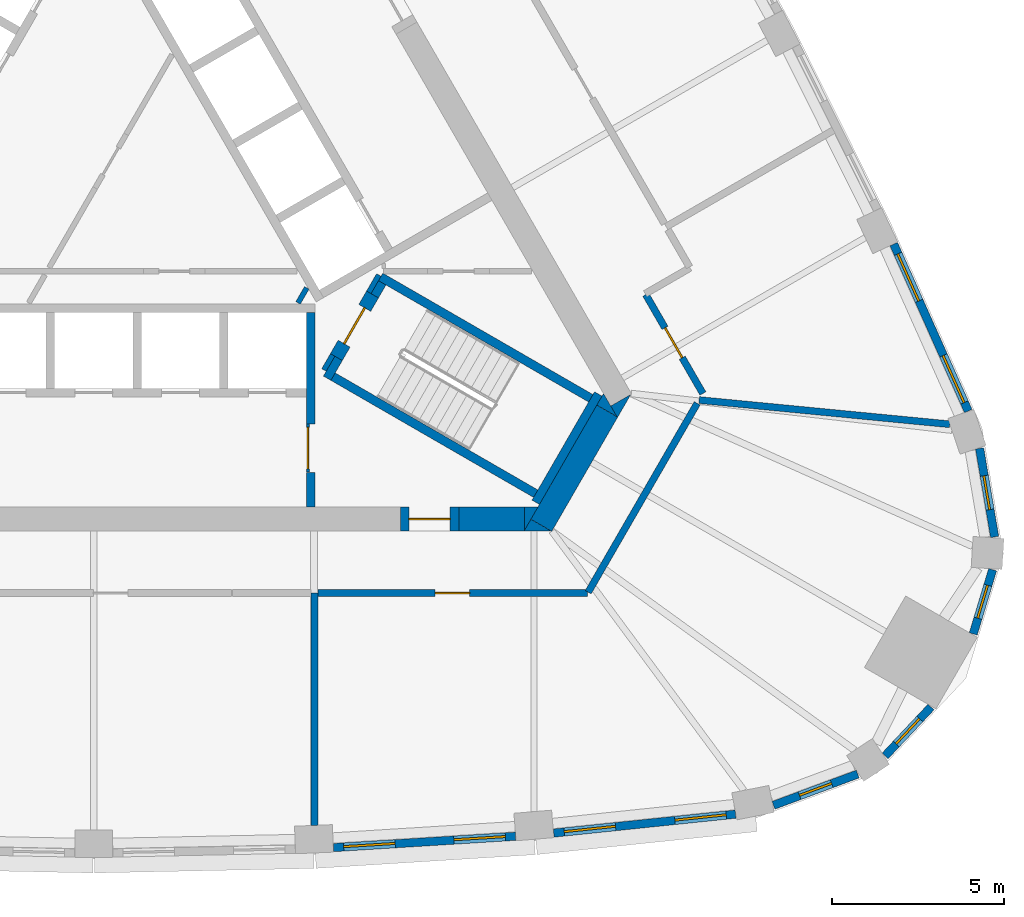
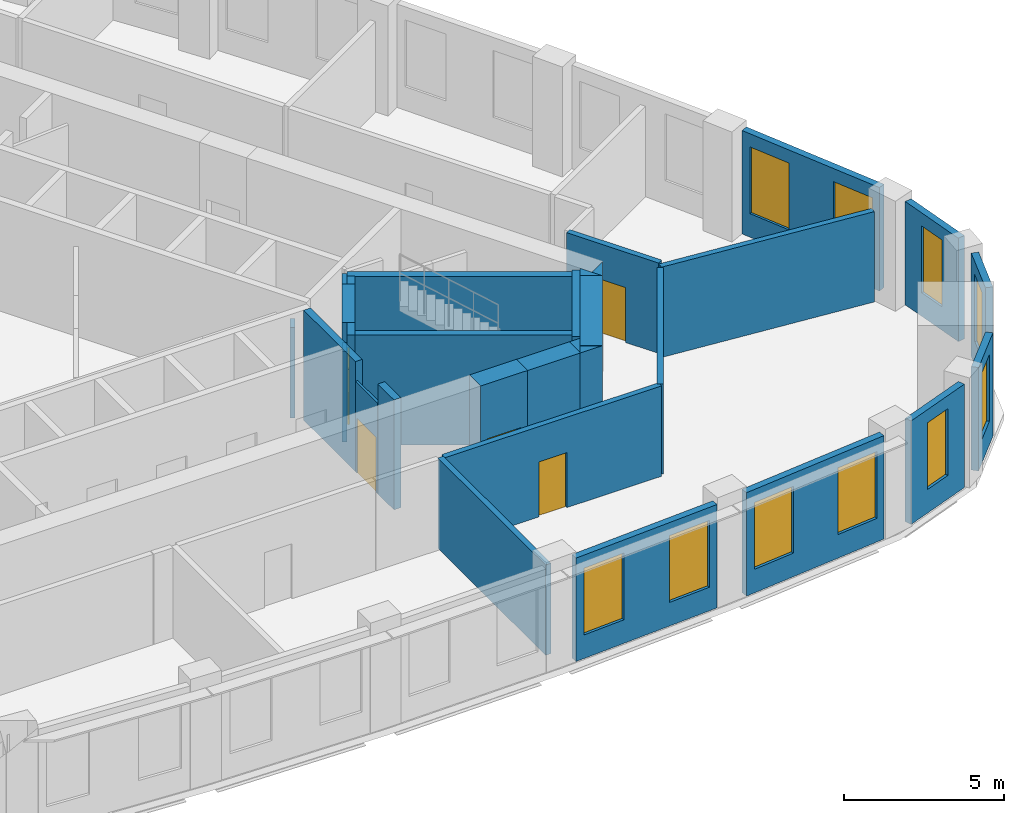
# One storey, part 6 of 10: 31 walls, 10 windows, 5 doors, 15 openings.
"""IFC4 building model written with IfcOpenShell, lengths in metres."""

import ifcopenshell
import ifcopenshell.guid

model = None  # the IFC model being written
_history = None  # IfcOwnerHistory: only IFC2X3 demands one
_inside = {}  # id of a spatial element -> (the spatial element, [elements in it])
_under = {}  # id of a project, library or spatial element -> (it, [spatial elements below it])
_declared = {}  # id of a project -> (the project, [libraries it declares])
_typed = {}  # id of a type object -> (the type object, [elements of that type])
_made_of = {}  # id of a material, layer set ... -> (it, [elements and type objects made of it])


def new_model(schema):
    """Start an empty IFC model of exactly this schema.

    Asked for "IFC4X3", IfcOpenShell would pick the latest addendum, in which some entities
    have other attributes; the version numbers below select the first issue.
    IFC2X3 requires an IfcOwnerHistory on every rooted entity: one is made here for all.
    """
    global model, _history
    if schema == "IFC4X3":
        model = ifcopenshell.file(schema_version=(4, 3, 0, 0))
    else:
        model = ifcopenshell.file(schema=schema)
    _inside.clear()
    _under.clear()
    _declared.clear()
    _typed.clear()
    _made_of.clear()
    _history = None
    if model.schema == "IFC2X3":
        org = make("IfcOrganization", Name="unknown")
        user = make(
            "IfcPersonAndOrganization",
            ThePerson=make("IfcPerson", FamilyName="unknown"),
            TheOrganization=org,
        )
        app = make(
            "IfcApplication",
            ApplicationDeveloper=org,
            Version="unknown",
            ApplicationFullName="unknown",
            ApplicationIdentifier="unknown",
        )
        _history = make(
            "IfcOwnerHistory",
            OwningUser=user,
            OwningApplication=app,
            ChangeAction="ADDED",
            CreationDate=0,
        )
    return model


def make(cls, **values):
    """One entity of the class cls with the attributes given. An attribute that is None is left unset."""
    return model.create_entity(
        cls, **{name: value for name, value in values.items() if value is not None}
    )


def rooted(cls, **values):
    """An entity with a GlobalId (a new one), such as an element, a storey or a relation."""
    return make(cls, GlobalId=ifcopenshell.guid.new(), OwnerHistory=_history, **values)


def si_unit(unit_type, name, prefix=None):
    """IfcSIUnit, for example si_unit("LENGTHUNIT", "METRE", prefix="MILLI")."""
    return make("IfcSIUnit", UnitType=unit_type, Prefix=prefix, Name=name)


def assignment(units):
    """IfcUnitAssignment: the units of a project."""
    return None if units is None else make("IfcUnitAssignment", Units=units)


def point(xyz):
    """IfcCartesianPoint."""
    return None if xyz is None else make("IfcCartesianPoint", Coordinates=xyz)


def direction(xyz):
    """IfcDirection."""
    return None if xyz is None else make("IfcDirection", DirectionRatios=xyz)


def frame(location, z_axis=None, x_axis=None):
    """IfcAxis2Placement3D, a coordinate frame: its origin and axes. An axis left out is left unset."""
    return make(
        "IfcAxis2Placement3D",
        Location=point(location),
        Axis=direction(z_axis),
        RefDirection=direction(x_axis),
    )


def frame_2d(location, x_axis=None):
    """IfcAxis2Placement2D, a coordinate frame in the plane: its origin and x axis."""
    return make(
        "IfcAxis2Placement2D", Location=point(location), RefDirection=direction(x_axis)
    )


def origin():
    """The frame at (0, 0, 0) with its axes left unset."""
    return frame((0.0, 0.0, 0.0))


def place(relative_to, where):
    """IfcLocalPlacement: puts the frame where relative to a parent placement (None: the world)."""
    return make(
        "IfcLocalPlacement", PlacementRelTo=relative_to, RelativePlacement=where
    )


def context(
    kind, dimensions, precision=None, world=None, true_north=None, identifier=None
):
    """IfcGeometricRepresentationContext, for example the 3D "Model" context."""
    return make(
        "IfcGeometricRepresentationContext",
        ContextIdentifier=identifier,
        ContextType=kind,
        CoordinateSpaceDimension=dimensions,
        Precision=precision,
        WorldCoordinateSystem=world,
        TrueNorth=true_north,
    )


def subcontext(parent, identifier, kind, view, scale=None):
    """IfcGeometricRepresentationSubContext, for example "Body" below "Model"."""
    return make(
        "IfcGeometricRepresentationSubContext",
        ContextIdentifier=identifier,
        ContextType=kind,
        ParentContext=parent,
        TargetScale=scale,
        TargetView=view,
    )


def project(units=None, contexts=None):
    """IfcProject with its units and contexts."""
    return rooted(
        "IfcProject",
        Name="project",
        RepresentationContexts=contexts,
        UnitsInContext=assignment(units),
    )


def spatial(cls, under=None, at=None, **own):
    """A site, building, storey or space (cls), placed at a placement, below another one or the project."""
    s = rooted(cls, ObjectPlacement=at, **own)
    if under is not None:
        _under.setdefault(under.id(), (under, []))[1].append(s)
    return s


def polyline(points):
    """IfcPolyline through the points."""
    return make("IfcPolyline", Points=[point(p) for p in points])


def profile(cls, at=None, kind="AREA", **sizes):
    """A parametric profile (cls). Its sizes go by their IFC names, for example OverallWidth=200.0."""
    return make(cls, ProfileType=kind, Position=at, **sizes)


def rectangle(**sizes):
    """IfcRectangleProfileDef."""
    return profile("IfcRectangleProfileDef", **sizes)


def outline(outer, holes=None, kind="AREA"):
    """IfcArbitraryClosedProfileDef: a profile drawn as a closed curve; with holes, ...WithVoids."""
    if holes is None:
        return make("IfcArbitraryClosedProfileDef", ProfileType=kind, OuterCurve=outer)
    return make(
        "IfcArbitraryProfileDefWithVoids",
        ProfileType=kind,
        OuterCurve=outer,
        InnerCurves=holes,
    )


def extrude(swept, where, along, depth):
    """IfcExtrudedAreaSolid: the profile swept, set in the frame where, extruded along a direction by depth."""
    return make(
        "IfcExtrudedAreaSolid",
        SweptArea=swept,
        Position=where,
        ExtrudedDirection=direction(along),
        Depth=depth,
    )


def shape(context_of_items, identifier, shape_type, items):
    """IfcShapeRepresentation: the items that make up one representation, for example the "Body"."""
    return make(
        "IfcShapeRepresentation",
        ContextOfItems=context_of_items,
        RepresentationIdentifier=identifier,
        RepresentationType=shape_type,
        Items=items,
    )


def material(Name=None, Category=None):
    """IfcMaterial."""
    return make("IfcMaterial", Name=Name, Category=Category)


def layer(
    of_material, thickness, ventilated=None, Name=None, Category=None, Priority=None
):
    """IfcMaterialLayer: one layer of a wall or slab, of a material (None: an air gap)."""
    return make(
        "IfcMaterialLayer",
        Material=of_material,
        LayerThickness=thickness,
        IsVentilated=ventilated,
        Name=Name,
        Category=Category,
        Priority=Priority,
    )


def layer_set(layers, Name=None):
    """IfcMaterialLayerSet."""
    return make("IfcMaterialLayerSet", MaterialLayers=layers, LayerSetName=Name)


def made_of(thing, what):
    """Note that an element or type object is made of a material, layer set ...; save() writes the relation."""
    if what is not None:
        _made_of.setdefault(what.id(), (what, []))[1].append(thing)
    return thing


def type_object(cls, material=None, **own):
    """A type object (cls), such as IfcWallType, which elements share."""
    return made_of(rooted(cls, **own), material)


def element(
    cls,
    number,
    at=None,
    inside=None,
    cuts=None,
    type_object=None,
    material=None,
    context=None,
    identifier="Body",
    shape_type=None,
    held_by="IfcProductDefinitionShape",
    body=None,
    shapes=None,
    **own,
):
    """One element of the class cls, such as IfcWall. Its Tag is "e" and its number.

    at: its placement. inside: the storey or other place that contains it. cuts: it is an
    opening in that element (IfcRelVoidsElement). A single representation is given by context,
    identifier, shape_type and body (its items); several are given by shapes. held_by: the class
    of the entity that holds the representations. save() writes the other relations.
    """
    e = rooted(cls, Tag="e%d" % number, ObjectPlacement=at, **own)
    if body is not None:
        shapes = [shape(context, identifier, shape_type, body)]
    if shapes is not None:
        e.Representation = make(held_by, Representations=shapes)
    if inside is not None:
        _inside.setdefault(inside.id(), (inside, []))[1].append(e)
    if cuts is not None:
        rooted(
            "IfcRelVoidsElement", RelatingBuildingElement=cuts, RelatedOpeningElement=e
        )
    if type_object is not None:
        _typed.setdefault(type_object.id(), (type_object, []))[1].append(e)
    return made_of(e, material)


def fill(opening, filler):
    """IfcRelFillsElement: the door or window that sits in an opening."""
    return rooted(
        "IfcRelFillsElement",
        RelatingOpeningElement=opening,
        RelatedBuildingElement=filler,
    )


def aggregate(whole, parts):
    """IfcRelAggregates: a whole, such as a stair, and the parts it consists of."""
    return rooted("IfcRelAggregates", RelatingObject=whole, RelatedObjects=parts)


def save(model, path):
    """Write the relations noted so far, then the file.

    IfcRelAggregates (storeys below a building ...), IfcRelContainedInSpatialStructure (elements
    in a storey), IfcRelDefinesByType, IfcRelAssociatesMaterial and IfcRelDeclares: one each for
    every whole, place, type object, material and project.
    """
    for whole, parts in _under.values():
        aggregate(whole, parts)
    for where, things in _inside.values():
        rooted(
            "IfcRelContainedInSpatialStructure",
            RelatedElements=things,
            RelatingStructure=where,
        )
    for kind, things in _typed.values():
        rooted("IfcRelDefinesByType", RelatedObjects=things, RelatingType=kind)
    for what, things in _made_of.values():
        rooted("IfcRelAssociatesMaterial", RelatedObjects=things, RelatingMaterial=what)
    for by, libraries in _declared.values():
        rooted("IfcRelDeclares", RelatingContext=by, RelatedDefinitions=libraries)
    model.write(path)


model = new_model("IFC4")

# Units and contexts
model_context = context("Model", 3, precision=1e-05, world=origin(), true_north=direction((0.0, 1.0)))
body_context = subcontext(model_context, "Body", "Model", "MODEL_VIEW")
ifc_project = project(units=[si_unit("LENGTHUNIT", "METRE"), si_unit("AREAUNIT", "SQUARE_METRE"), si_unit("VOLUMEUNIT", "CUBIC_METRE"), si_unit("PLANEANGLEUNIT", "RADIAN"), si_unit("MASSUNIT", "GRAM", prefix="KILO")], contexts=[model_context])

# Site, building, storey
site_placement = place(None, origin())
site = spatial("IfcSite", under=ifc_project, at=site_placement, CompositionType="ELEMENT")
building_placement = place(site_placement, origin())
building = spatial("IfcBuilding", under=site, at=building_placement, Name="Mestral Congress Tower", CompositionType="ELEMENT")
storey_placement = place(building_placement, frame((0.0, 0.0, 214.199951171875)))
storey = spatial("IfcBuildingStorey", under=building, at=storey_placement, Name="L50", CompositionType="ELEMENT", Elevation=214.199951171875)

# Walls
ifc_material_1 = material(Name="Fire-rated board partition")
ifc_layer_1 = layer(ifc_material_1, 0.14990234375)
ifc_layer_set_1 = layer_set([ifc_layer_1], Name="Fire-rated board partition")
wall_type_1 = type_object("IfcWallType", Name="Core partition 150", PredefinedType="PARTITIONING", material=ifc_layer_set_1)
wall_1_placement = place(storey_placement, frame((6.68798828125, -5.667236328125, 0.0), z_axis=(0.0, 0.0, 1.0), x_axis=(0.499834152157, 0.86612113491, 0.0)))
element("IfcWall", 1, at=wall_1_placement, inside=storey, type_object=wall_type_1, Name="L50 core wall", PredefinedType="PARTITIONING", context=body_context, shape_type="SweptSolid", body=[
    extrude(rectangle(XDim=0.504638671875, YDim=0.14990234375, at=frame_2d((0.25244140625, 0.0))), origin(), (0.0, 0.0, 1.0), 3.449951171875),
])
wall_2_placement = place(storey_placement, frame((5.935791015625, -3.718017578125, 0.0), z_axis=(0.0, 0.0, 1.0), x_axis=(0.499890179513, 0.866088799389, 0.0)))
element("IfcWall", 2, at=wall_2_placement, inside=storey, type_object=wall_type_1, Name="L50 core wall", PredefinedType="PARTITIONING", context=body_context, shape_type="SweptSolid", body=[
    extrude(rectangle(XDim=0.50390625, YDim=0.14990234375, at=frame_2d((0.251953125, 0.0))), origin(), (0.0, 0.0, 1.0), 3.449951171875),
])

# Wall, opening, door
ifc_layer_2 = layer(ifc_material_1, 0.090087890625)
ifc_layer_set_2 = layer_set([ifc_layer_2], Name="Fire-rated board partition")
wall_type_2 = type_object("IfcWallType", Name="Core partition 150 door-wall 90", PredefinedType="PARTITIONING", material=ifc_layer_set_2)
wall_3_placement = place(storey_placement, frame((6.219970703125, -7.23681640625, 0.0), z_axis=(0.0, 0.0, 1.0), x_axis=(0.0, -1.0, 0.0)))
wall_3 = element("IfcWall", 3, at=wall_3_placement, inside=storey, type_object=wall_type_2, Name="L50 door wall", PredefinedType="PARTITIONING", context=body_context, shape_type="SweptSolid", body=[
    extrude(rectangle(XDim=1.400146484375, YDim=0.090087890625, at=frame_2d((0.7001953125, 0.0))), origin(), (0.0, 0.0, 1.0), 3.449951171875),
])
opening_1_placement = place(wall_3_placement, frame((0.10009765625, 0.0, 0.0)))
opening_1 = element("IfcOpeningElement", 4, at=opening_1_placement, cuts=wall_3, Name="Opening LB0-WL1", PredefinedType="OPENING", context=body_context, shape_type="SweptSolid", body=[
    extrude(rectangle(XDim=1.199951171875, YDim=2.10009765625, at=frame_2d((0.60009765625, 1.050048828125))), frame((0.0, 0.054931640625, 0.0), z_axis=(0.0, -1.0, 0.0), x_axis=(1.0, 0.0, 0.0)), (0.0, 0.0, 1.0), 0.110107421875),
])
ifc_material_2 = material(Name="Fire-rated steel door set", Category="steel")
door_type_1 = type_object("IfcDoorType", Name="Core door LB 1200x2100", OperationType="SINGLE_SWING_LEFT", PredefinedType="DOOR", material=ifc_material_2)
door_1_placement = place(opening_1_placement, origin())
door_1 = element("IfcDoor", 5, at=door_1_placement, inside=storey, type_object=door_type_1, Name="Door LB0-WL1", OperationType="SINGLE_SWING_LEFT", OverallHeight=2.10009765625, OverallWidth=1.199951171875, PredefinedType="DOOR", context=body_context, shape_type="SweptSolid", body=[
    extrude(rectangle(XDim=1.199951171875, YDim=2.10009765625, at=frame_2d((0.60009765625, 1.050048828125))), frame((0.0, 0.02490234375, 0.0), z_axis=(0.0, -1.0, 0.0), x_axis=(1.0, 0.0, 0.0)), (0.0, 0.0, 1.0), 0.050048828125),
])
fill(opening_1, door_1)

# Walls
ifc_material_3 = material(Name="Concrete C60/75", Category="concrete")
ifc_layer_3 = layer(ifc_material_3, 0.699951171875)
ifc_layer_set_3 = layer_set([ifc_layer_3], Name="Concrete C60/75")
wall_type_3 = type_object("IfcWallType", Name="Core wall RC 700", PredefinedType="SOLIDWALL", material=ifc_layer_set_3)
placement = place(storey_placement, origin())
element("IfcWall", 6, at=placement, inside=storey, type_object=wall_type_3, Name="L50 core wall", PredefinedType="SOLIDWALL", context=body_context, shape_type="SweptSolid", body=[
    extrude(outline(polyline([(15.213134765625, -7.050048828125), (15.019287109375, -6.714111328125), (15.60107421875, -6.3779296875), (15.213134765625, -7.050048828125)])), origin(), (0.0, 0.0, 1.0), 4.199951171875),
])
wall_5_placement = place(storey_placement, frame((13.002685546875, -10.1787109375, 0.0), z_axis=(0.0, 0.0, 1.0), x_axis=(0.499972675833, 0.866041178825, 0.0)))
element("IfcWall", 7, at=wall_5_placement, inside=storey, type_object=wall_type_3, Name="L50 core wall", PredefinedType="SOLIDWALL", context=body_context, shape_type="SweptSolid", body=[
    extrude(rectangle(XDim=3.828857421875, YDim=0.699951171875, at=frame_2d((1.91455078125, 0.0))), origin(), (0.0, 0.0, 1.0), 4.199951171875),
])
element("IfcWall", 8, at=placement, inside=storey, type_object=wall_type_3, Name="L50 core wall", PredefinedType="SOLIDWALL", context=body_context, shape_type="SweptSolid", body=[
    extrude(outline(polyline([(12.698486328125, -10.00537109375), (13.295654296875, -10.35009765625), (12.49951171875, -10.35009765625), (12.698486328125, -10.00537109375)])), origin(), (0.0, 0.0, 1.0), 4.199951171875),
])
element("IfcWall", 9, at=placement, inside=storey, type_object=wall_type_3, Name="L50 core wall", PredefinedType="SOLIDWALL", context=body_context, shape_type="SweptSolid", body=[
    extrude(outline(polyline([(14.80908203125, -6.35009765625), (15.197265625, -7.022216796875), (14.614990234375, -6.68603515625), (14.80908203125, -6.35009765625)])), origin(), (0.0, 0.0, 1.0), 4.199951171875),
])
wall_8_placement = place(storey_placement, frame((10.6044921875, -10.0, 0.0), z_axis=(0.0, 0.0, 1.0), x_axis=(1.0, 0.0, 0.0)))
element("IfcWall", 10, at=wall_8_placement, inside=storey, type_object=wall_type_3, Name="L50 core wall", PredefinedType="SOLIDWALL", context=body_context, shape_type="SweptSolid", body=[
    extrude(rectangle(XDim=1.909423828125, YDim=0.699951171875, at=frame_2d((0.95458984375, 0.0))), origin(), (0.0, 0.0, 1.0), 4.199951171875),
])
element("IfcWall", 11, at=placement, inside=storey, type_object=wall_type_3, Name="L50 core wall", PredefinedType="SOLIDWALL", context=body_context, shape_type="SweptSolid", body=[
    extrude(outline(polyline([(12.90380859375, -9.64990234375), (12.515869140625, -10.322021484375), (12.515869140625, -9.64990234375), (12.90380859375, -9.64990234375)])), origin(), (0.0, 0.0, 1.0), 4.199951171875),
])

# Wall, opening, door
wall_10_placement = place(storey_placement, frame((10.6044921875, -10.0, 0.0), z_axis=(0.0, 0.0, 1.0), x_axis=(-1.0, 0.0, 0.0)))
wall_10 = element("IfcWall", 12, at=wall_10_placement, inside=storey, type_object=wall_type_3, Name="L50 door wall", PredefinedType="SOLIDWALL", context=body_context, shape_type="SweptSolid", body=[
    extrude(rectangle(XDim=1.699951171875, YDim=0.699951171875, at=frame_2d((0.85009765625, 0.0))), origin(), (0.0, 0.0, 1.0), 4.199951171875),
])
opening_2_placement = place(wall_10_placement, frame((0.25, 0.0, 0.0)))
opening_2 = element("IfcOpeningElement", 13, at=opening_2_placement, cuts=wall_10, Name="Opening XD1", PredefinedType="OPENING", context=body_context, shape_type="SweptSolid", body=[
    extrude(rectangle(XDim=1.199951171875, YDim=2.10009765625, at=frame_2d((0.60009765625, 1.050048828125))), frame((0.0, 0.35986328125, 0.0), z_axis=(0.0, -1.0, 0.0), x_axis=(1.0, 0.0, 0.0)), (0.0, 0.0, 1.0), 0.719970703125),
])
door_type_2 = type_object("IfcDoorType", Name="Core door XD 1200x2100", OperationType="SINGLE_SWING_LEFT", PredefinedType="DOOR", material=ifc_material_2)
door_2_placement = place(opening_2_placement, origin())
door_2 = element("IfcDoor", 14, at=door_2_placement, inside=storey, type_object=door_type_2, Name="Door XD1", OperationType="SINGLE_SWING_LEFT", OverallHeight=2.10009765625, OverallWidth=1.199951171875, PredefinedType="DOOR", context=body_context, shape_type="SweptSolid", body=[
    extrude(rectangle(XDim=1.199951171875, YDim=2.10009765625, at=frame_2d((0.60009765625, 1.050048828125))), frame((0.0, 0.02490234375, 0.0), z_axis=(0.0, -1.0, 0.0), x_axis=(1.0, 0.0, 0.0)), (0.0, 0.0, 1.0), 0.050048828125),
])
fill(opening_2, door_2)

# Wall, openings, windows
ifc_material_4 = material(Name="Precast concrete C40/50 with limestone facing", Category="masonry")
ifc_layer_4 = layer(ifc_material_4, 0.239990234375)
ifc_layer_set_4 = layer_set([ifc_layer_4], Name="Precast concrete C40/50 with limestone facing")
wall_type_4 = type_object("IfcWallType", Name="Facade stone wall 240", PredefinedType="SOLIDWALL", material=ifc_layer_set_4)
wall_11_placement = place(storey_placement, frame((6.965087890625, -19.54296875, 0.0), z_axis=(0.0, 0.0, 1.0), x_axis=(0.9980633213, 0.062206162685, 0.0)))
wall_11 = element("IfcWall", 15, at=wall_11_placement, inside=storey, type_object=wall_type_4, Name="Facade wall F0-04", PredefinedType="SOLIDWALL", context=body_context, shape_type="SweptSolid", body=[
    extrude(rectangle(XDim=5.29833984375, YDim=0.239990234375, at=frame_2d((2.649169921875, 0.0))), origin(), (0.0, 0.0, 1.0), 3.949951171875),
])
opening_3_placement = place(wall_11_placement, frame((0.294677734375, 0.0, 0.89990234375)))
opening_3 = element("IfcOpeningElement", 16, at=opening_3_placement, cuts=wall_11, Name="Opening W4", PredefinedType="OPENING", context=body_context, shape_type="SweptSolid", body=[
    extrude(rectangle(XDim=1.5, YDim=2.550048828125, at=frame_2d((0.75, 1.27490234375))), frame((0.0, 0.1298828125, 0.0), z_axis=(0.0, -1.0, 0.0), x_axis=(1.0, 0.0, 0.0)), (0.0, 0.0, 1.0), 0.260009765625),
])
opening_4_placement = place(wall_11_placement, frame((3.503662109375, 0.0, 0.89990234375)))
opening_4 = element("IfcOpeningElement", 17, at=opening_4_placement, cuts=wall_11, Name="Opening W4", PredefinedType="OPENING", context=body_context, shape_type="SweptSolid", body=[
    extrude(rectangle(XDim=1.5, YDim=2.550048828125, at=frame_2d((0.75, 1.27490234375))), frame((0.0, 0.1298828125, 0.0), z_axis=(0.0, -1.0, 0.0), x_axis=(1.0, 0.0, 0.0)), (0.0, 0.0, 1.0), 0.260009765625),
])
ifc_material_5 = material(Name="Clear low-emissivity double glazing", Category="glass")
window_type_1 = type_object("IfcWindowType", Name="Facade punched window 1500 x 2550 sill 900", PartitioningType="SINGLE_PANEL", PredefinedType="WINDOW", material=ifc_material_5)
window_1_placement = place(opening_3_placement, origin())
window_1 = element("IfcWindow", 18, at=window_1_placement, inside=storey, type_object=window_type_1, Name="Window F0-04a", OverallHeight=2.550048828125, OverallWidth=1.5, PartitioningType="SINGLE_PANEL", PredefinedType="WINDOW", context=body_context, shape_type="SweptSolid", body=[
    extrude(rectangle(XDim=1.5, YDim=2.550048828125, at=frame_2d((0.75, 1.27490234375))), frame((0.0, 0.0400390625, 0.0), z_axis=(0.0, -1.0, 0.0), x_axis=(1.0, 0.0, 0.0)), (0.0, 0.0, 1.0), 0.06005859375),
])
fill(opening_3, window_1)
window_2_placement = place(opening_4_placement, origin())
window_2 = element("IfcWindow", 19, at=window_2_placement, inside=storey, type_object=window_type_1, Name="Window F0-04b", OverallHeight=2.550048828125, OverallWidth=1.5, PartitioningType="SINGLE_PANEL", PredefinedType="WINDOW", context=body_context, shape_type="SweptSolid", body=[
    extrude(rectangle(XDim=1.5, YDim=2.550048828125, at=frame_2d((0.75, 1.27490234375))), frame((0.0, 0.0400390625, 0.0), z_axis=(0.0, -1.0, 0.0), x_axis=(1.0, 0.0, 0.0)), (0.0, 0.0, 1.0), 0.06005859375),
])
fill(opening_4, window_2)

wall_12_placement = place(storey_placement, frame((13.362060546875, -19.12109375, 0.0), z_axis=(0.0, 0.0, 1.0), x_axis=(0.994621961215, 0.103571976272, 0.0)))
wall_12 = element("IfcWall", 20, at=wall_12_placement, inside=storey, type_object=wall_type_4, Name="Facade wall F0-05", PredefinedType="SOLIDWALL", context=body_context, shape_type="SweptSolid", body=[
    extrude(rectangle(XDim=5.310791015625, YDim=0.239990234375, at=frame_2d((2.6552734375, 0.0))), origin(), (0.0, 0.0, 1.0), 3.949951171875),
])
opening_5_placement = place(wall_12_placement, frame((0.306396484375, 0.0, 0.89990234375)))
opening_5 = element("IfcOpeningElement", 21, at=opening_5_placement, cuts=wall_12, Name="Opening W4", PredefinedType="OPENING", context=body_context, shape_type="SweptSolid", body=[
    extrude(rectangle(XDim=1.5, YDim=2.550048828125, at=frame_2d((0.75, 1.27490234375))), frame((0.0, 0.1298828125, 0.0), z_axis=(0.0, -1.0, 0.0), x_axis=(1.0, 0.0, 0.0)), (0.0, 0.0, 1.0), 0.260009765625),
])
opening_6_placement = place(wall_12_placement, frame((3.539306640625, 0.0, 0.89990234375)))
opening_6 = element("IfcOpeningElement", 22, at=opening_6_placement, cuts=wall_12, Name="Opening W4", PredefinedType="OPENING", context=body_context, shape_type="SweptSolid", body=[
    extrude(rectangle(XDim=1.5, YDim=2.550048828125, at=frame_2d((0.75, 1.27490234375))), frame((0.0, 0.1298828125, 0.0), z_axis=(0.0, -1.0, 0.0), x_axis=(1.0, 0.0, 0.0)), (0.0, 0.0, 1.0), 0.260009765625),
])
window_3_placement = place(opening_5_placement, origin())
window_3 = element("IfcWindow", 23, at=window_3_placement, inside=storey, type_object=window_type_1, Name="Window F0-05a", OverallHeight=2.550048828125, OverallWidth=1.5, PartitioningType="SINGLE_PANEL", PredefinedType="WINDOW", context=body_context, shape_type="SweptSolid", body=[
    extrude(rectangle(XDim=1.5, YDim=2.550048828125, at=frame_2d((0.75, 1.27490234375))), frame((0.0, 0.0400390625, 0.0), z_axis=(0.0, -1.0, 0.0), x_axis=(1.0, 0.0, 0.0)), (0.0, 0.0, 1.0), 0.06005859375),
])
fill(opening_5, window_3)
window_4_placement = place(opening_6_placement, origin())
window_4 = element("IfcWindow", 24, at=window_4_placement, inside=storey, type_object=window_type_1, Name="Window F0-05b", OverallHeight=2.550048828125, OverallWidth=1.5, PartitioningType="SINGLE_PANEL", PredefinedType="WINDOW", context=body_context, shape_type="SweptSolid", body=[
    extrude(rectangle(XDim=1.5, YDim=2.550048828125, at=frame_2d((0.75, 1.27490234375))), frame((0.0, 0.0400390625, 0.0), z_axis=(0.0, -1.0, 0.0), x_axis=(1.0, 0.0, 0.0)), (0.0, 0.0, 1.0), 0.06005859375),
])
fill(opening_6, window_4)

# Wall, opening, window
wall_13_placement = place(storey_placement, frame((19.747802734375, -18.31396484375, 0.0), z_axis=(0.0, 0.0, 1.0), x_axis=(0.937569171184, 0.347798863203, 0.0)))
wall_13 = element("IfcWall", 25, at=wall_13_placement, inside=storey, type_object=wall_type_4, Name="Facade wall K0-0", PredefinedType="SOLIDWALL", context=body_context, shape_type="SweptSolid", body=[
    extrude(rectangle(XDim=2.609130859375, YDim=0.239990234375, at=frame_2d((1.3046875, 0.0))), origin(), (0.0, 0.0, 1.0), 3.949951171875),
])
opening_7_placement = place(wall_13_placement, frame((0.8046875, 0.0, 0.89990234375)))
opening_7 = element("IfcOpeningElement", 26, at=opening_7_placement, cuts=wall_13, Name="Opening W5", PredefinedType="OPENING", context=body_context, shape_type="SweptSolid", body=[
    extrude(rectangle(XDim=1.0, YDim=2.550048828125, at=frame_2d((0.5, 1.27490234375))), frame((0.0, 0.1298828125, 0.0), z_axis=(0.0, -1.0, 0.0), x_axis=(1.0, 0.0, 0.0)), (0.0, 0.0, 1.0), 0.260009765625),
])
window_type_2 = type_object("IfcWindowType", Name="Facade punched window 1000 x 2550 sill 900", PartitioningType="SINGLE_PANEL", PredefinedType="WINDOW", material=ifc_material_5)
window_5_placement = place(opening_7_placement, origin())
window_5 = element("IfcWindow", 27, at=window_5_placement, inside=storey, type_object=window_type_2, Name="Window K0-0", OverallHeight=2.550048828125, OverallWidth=1.0, PartitioningType="SINGLE_PANEL", PredefinedType="WINDOW", context=body_context, shape_type="SweptSolid", body=[
    extrude(rectangle(XDim=1.0, YDim=2.550048828125, at=frame_2d((0.5, 1.27490234375))), frame((0.0, 0.0400390625, 0.0), z_axis=(0.0, -1.0, 0.0), x_axis=(1.0, 0.0, 0.0)), (0.0, 0.0, 1.0), 0.06005859375),
])
fill(opening_7, window_5)

wall_14_placement = place(storey_placement, frame((22.989013671875, -16.87890625, 0.0), z_axis=(0.0, 0.0, 1.0), x_axis=(0.684770274166, 0.728758994194, 0.0)))
wall_14 = element("IfcWall", 28, at=wall_14_placement, inside=storey, type_object=wall_type_4, Name="Facade wall K0-1", PredefinedType="SOLIDWALL", context=body_context, shape_type="SweptSolid", body=[
    extrude(rectangle(XDim=1.947998046875, YDim=0.239990234375, at=frame_2d((0.97412109375, 0.0))), origin(), (0.0, 0.0, 1.0), 3.949951171875),
])
opening_8_placement = place(wall_14_placement, frame((0.47412109375, 0.0, 0.89990234375)))
opening_8 = element("IfcOpeningElement", 29, at=opening_8_placement, cuts=wall_14, Name="Opening W5", PredefinedType="OPENING", context=body_context, shape_type="SweptSolid", body=[
    extrude(rectangle(XDim=1.0, YDim=2.550048828125, at=frame_2d((0.5, 1.27490234375))), frame((0.0, 0.1298828125, 0.0), z_axis=(0.0, -1.0, 0.0), x_axis=(1.0, 0.0, 0.0)), (0.0, 0.0, 1.0), 0.260009765625),
])
window_6_placement = place(opening_8_placement, origin())
window_6 = element("IfcWindow", 30, at=window_6_placement, inside=storey, type_object=window_type_2, Name="Window K0-1", OverallHeight=2.550048828125, OverallWidth=1.0, PartitioningType="SINGLE_PANEL", PredefinedType="WINDOW", context=body_context, shape_type="SweptSolid", body=[
    extrude(rectangle(XDim=1.0, YDim=2.550048828125, at=frame_2d((0.5, 1.27490234375))), frame((0.0, 0.0400390625, 0.0), z_axis=(0.0, -1.0, 0.0), x_axis=(1.0, 0.0, 0.0)), (0.0, 0.0, 1.0), 0.06005859375),
])
fill(opening_8, window_6)

wall_15_placement = place(storey_placement, frame((25.5498046875, -13.334716796875, 0.0), z_axis=(0.0, 0.0, 1.0), x_axis=(0.288727209095, 0.957411405159, 0.0)))
wall_15 = element("IfcWall", 31, at=wall_15_placement, inside=storey, type_object=wall_type_4, Name="Facade wall K0-2", PredefinedType="SOLIDWALL", context=body_context, shape_type="SweptSolid", body=[
    extrude(rectangle(XDim=1.9482421875, YDim=0.239990234375, at=frame_2d((0.97412109375, 0.0))), origin(), (0.0, 0.0, 1.0), 3.949951171875),
])
opening_9_placement = place(wall_15_placement, frame((0.47412109375, 0.0, 0.89990234375)))
opening_9 = element("IfcOpeningElement", 32, at=opening_9_placement, cuts=wall_15, Name="Opening W5", PredefinedType="OPENING", context=body_context, shape_type="SweptSolid", body=[
    extrude(rectangle(XDim=1.0, YDim=2.550048828125, at=frame_2d((0.5, 1.27490234375))), frame((0.0, 0.1298828125, 0.0), z_axis=(0.0, -1.0, 0.0), x_axis=(1.0, 0.0, 0.0)), (0.0, 0.0, 1.0), 0.260009765625),
])
window_7_placement = place(opening_9_placement, origin())
window_7 = element("IfcWindow", 33, at=window_7_placement, inside=storey, type_object=window_type_2, Name="Window K0-2", OverallHeight=2.550048828125, OverallWidth=1.0, PartitioningType="SINGLE_PANEL", PredefinedType="WINDOW", context=body_context, shape_type="SweptSolid", body=[
    extrude(rectangle(XDim=1.0, YDim=2.550048828125, at=frame_2d((0.5, 1.27490234375))), frame((0.0, 0.0400390625, 0.0), z_axis=(0.0, -1.0, 0.0), x_axis=(1.0, 0.0, 0.0)), (0.0, 0.0, 1.0), 0.06005859375),
])
fill(opening_9, window_7)

wall_16_placement = place(storey_placement, frame((26.171630859375, -10.517333984375, 0.0), z_axis=(0.0, 0.0, 1.0), x_axis=(-0.167660055546, 0.985844869021, 0.0)))
wall_16 = element("IfcWall", 34, at=wall_16_placement, inside=storey, type_object=wall_type_4, Name="Facade wall K0-3", PredefinedType="SOLIDWALL", context=body_context, shape_type="SweptSolid", body=[
    extrude(rectangle(XDim=2.609375, YDim=0.239990234375, at=frame_2d((1.3046875, 0.0))), origin(), (0.0, 0.0, 1.0), 3.949951171875),
])
opening_10_placement = place(wall_16_placement, frame((0.8046875, 0.0, 0.89990234375)))
opening_10 = element("IfcOpeningElement", 35, at=opening_10_placement, cuts=wall_16, Name="Opening W5", PredefinedType="OPENING", context=body_context, shape_type="SweptSolid", body=[
    extrude(rectangle(XDim=1.0, YDim=2.550048828125, at=frame_2d((0.5, 1.27490234375))), frame((0.0, 0.1298828125, 0.0), z_axis=(0.0, -1.0, 0.0), x_axis=(1.0, 0.0, 0.0)), (0.0, 0.0, 1.0), 0.260009765625),
])
window_8_placement = place(opening_10_placement, origin())
window_8 = element("IfcWindow", 36, at=window_8_placement, inside=storey, type_object=window_type_2, Name="Window K0-3", OverallHeight=2.550048828125, OverallWidth=1.0, PartitioningType="SINGLE_PANEL", PredefinedType="WINDOW", context=body_context, shape_type="SweptSolid", body=[
    extrude(rectangle(XDim=1.0, YDim=2.550048828125, at=frame_2d((0.5, 1.27490234375))), frame((0.0, 0.0400390625, 0.0), z_axis=(0.0, -1.0, 0.0), x_axis=(1.0, 0.0, 0.0)), (0.0, 0.0, 1.0), 0.06005859375),
])
fill(opening_10, window_8)

# Wall, openings, windows
wall_17_placement = place(storey_placement, frame((25.405029296875, -6.86083984375, 0.0), z_axis=(0.0, 0.0, 1.0), x_axis=(-0.407579651789, 0.913169659728, 0.0)))
wall_17 = element("IfcWall", 37, at=wall_17_placement, inside=storey, type_object=wall_type_4, Name="Facade wall F1-00", PredefinedType="SOLIDWALL", context=body_context, shape_type="SweptSolid", body=[
    extrude(rectangle(XDim=5.310791015625, YDim=0.239990234375, at=frame_2d((2.6552734375, 0.0))), origin(), (0.0, 0.0, 1.0), 3.949951171875),
])
opening_11_placement = place(wall_17_placement, frame((0.271484375, 0.0, 0.89990234375)))
opening_11 = element("IfcOpeningElement", 38, at=opening_11_placement, cuts=wall_17, Name="Opening W4", PredefinedType="OPENING", context=body_context, shape_type="SweptSolid", body=[
    extrude(rectangle(XDim=1.5, YDim=2.550048828125, at=frame_2d((0.75, 1.27490234375))), frame((0.0, 0.1298828125, 0.0), z_axis=(0.0, -1.0, 0.0), x_axis=(1.0, 0.0, 0.0)), (0.0, 0.0, 1.0), 0.260009765625),
])
opening_12_placement = place(wall_17_placement, frame((3.50439453125, 0.0, 0.89990234375)))
opening_12 = element("IfcOpeningElement", 39, at=opening_12_placement, cuts=wall_17, Name="Opening W4", PredefinedType="OPENING", context=body_context, shape_type="SweptSolid", body=[
    extrude(rectangle(XDim=1.5, YDim=2.550048828125, at=frame_2d((0.75, 1.27490234375))), frame((0.0, 0.1298828125, 0.0), z_axis=(0.0, -1.0, 0.0), x_axis=(1.0, 0.0, 0.0)), (0.0, 0.0, 1.0), 0.260009765625),
])
window_9_placement = place(opening_11_placement, origin())
window_9 = element("IfcWindow", 40, at=window_9_placement, inside=storey, type_object=window_type_1, Name="Window F1-00a", OverallHeight=2.550048828125, OverallWidth=1.5, PartitioningType="SINGLE_PANEL", PredefinedType="WINDOW", context=body_context, shape_type="SweptSolid", body=[
    extrude(rectangle(XDim=1.5, YDim=2.550048828125, at=frame_2d((0.75, 1.27490234375))), frame((0.0, 0.0400390625, 0.0), z_axis=(0.0, -1.0, 0.0), x_axis=(1.0, 0.0, 0.0)), (0.0, 0.0, 1.0), 0.06005859375),
])
fill(opening_11, window_9)
window_10_placement = place(opening_12_placement, origin())
window_10 = element("IfcWindow", 41, at=window_10_placement, inside=storey, type_object=window_type_1, Name="Window F1-00b", OverallHeight=2.550048828125, OverallWidth=1.5, PartitioningType="SINGLE_PANEL", PredefinedType="WINDOW", context=body_context, shape_type="SweptSolid", body=[
    extrude(rectangle(XDim=1.5, YDim=2.550048828125, at=frame_2d((0.75, 1.27490234375))), frame((0.0, 0.0400390625, 0.0), z_axis=(0.0, -1.0, 0.0), x_axis=(1.0, 0.0, 0.0)), (0.0, 0.0, 1.0), 0.06005859375),
])
fill(opening_12, window_10)

# Walls
ifc_material_6 = material(Name="Dense masonry wall, plastered", Category="masonry")
ifc_layer_5 = layer(ifc_material_6, 0.199951171875)
ifc_layer_set_5 = layer_set([ifc_layer_5], Name="Dense masonry wall, plastered")
wall_type_5 = type_object("IfcWallType", Name="Office tenancy wall 200", PredefinedType="PARTITIONING", material=ifc_layer_set_5)
wall_18_placement = place(storey_placement, frame((6.416748046875, -12.14990234375, 0.0), z_axis=(0.0, 0.0, 1.0), x_axis=(0.0, -1.0, 0.0)))
element("IfcWall", 42, at=wall_18_placement, inside=storey, type_object=wall_type_5, Name="Tenancy wall", PredefinedType="PARTITIONING", context=body_context, shape_type="SweptSolid", body=[
    extrude(rectangle(XDim=6.746826171875, YDim=0.199951171875, at=frame_2d((3.37353515625, 0.0))), origin(), (0.0, 0.0, 1.0), 3.449951171875),
])
wall_19_placement = place(storey_placement, frame((17.5859375, -6.540283203125, 0.0), z_axis=(0.0, 0.0, 1.0), x_axis=(0.995357542522, -0.096246363795, 0.0)))
element("IfcWall", 43, at=wall_19_placement, inside=storey, type_object=wall_type_5, Name="Tenancy wall", PredefinedType="PARTITIONING", context=body_context, shape_type="SweptSolid", body=[
    extrude(rectangle(XDim=7.318115234375, YDim=0.199951171875, at=frame_2d((3.6591796875, 0.0))), origin(), (0.0, 0.0, 1.0), 3.449951171875),
])

# Wall, opening, door
wall_20_placement = place(storey_placement, frame((6.516845703125, -12.14990234375, 0.0), z_axis=(0.0, 0.0, 1.0), x_axis=(1.0, 0.0, 0.0)))
wall_20 = element("IfcWall", 44, at=wall_20_placement, inside=storey, type_object=wall_type_5, Name="Tenancy wall", PredefinedType="PARTITIONING", context=body_context, shape_type="SweptSolid", body=[
    extrude(rectangle(XDim=7.830322265625, YDim=0.199951171875, at=frame_2d((3.9150390625, 0.0))), origin(), (0.0, 0.0, 1.0), 3.449951171875),
])
opening_13_placement = place(wall_20_placement, frame((3.39990234375, 0.0, 0.0)))
opening_13 = element("IfcOpeningElement", 45, at=opening_13_placement, cuts=wall_20, Name="Opening O07-002", PredefinedType="OPENING", context=body_context, shape_type="SweptSolid", body=[
    extrude(rectangle(XDim=1.0, YDim=2.10009765625, at=frame_2d((0.5, 1.050048828125))), frame((0.0, 0.10986328125, 0.0), z_axis=(0.0, -1.0, 0.0), x_axis=(1.0, 0.0, 0.0)), (0.0, 0.0, 1.0), 0.219970703125),
])
ifc_material_7 = material(Name="Fire-rated timber door set", Category="wood")
door_type_3 = type_object("IfcDoorType", Name="Office tenancy entrance door 1000x2100", OperationType="SINGLE_SWING_LEFT", PredefinedType="DOOR", material=ifc_material_7)
door_3_placement = place(opening_13_placement, origin())
door_3 = element("IfcDoor", 46, at=door_3_placement, inside=storey, type_object=door_type_3, Name="Door O07-002", OperationType="SINGLE_SWING_LEFT", OverallHeight=2.10009765625, OverallWidth=1.0, PredefinedType="DOOR", context=body_context, shape_type="SweptSolid", body=[
    extrude(rectangle(XDim=1.0, YDim=2.10009765625, at=frame_2d((0.5, 1.050048828125))), frame((0.0, 0.02490234375, 0.0), z_axis=(0.0, -1.0, 0.0), x_axis=(1.0, 0.0, 0.0)), (0.0, 0.0, 1.0), 0.050048828125),
])
fill(opening_13, door_3)

# Wall
wall_21_placement = place(storey_placement, frame((14.362060546875, -12.1240234375, 0.0), z_axis=(0.0, 0.0, 1.0), x_axis=(0.500017005442, 0.866015585465, 0.0)))
element("IfcWall", 47, at=wall_21_placement, inside=storey, type_object=wall_type_5, Name="Tenancy wall", PredefinedType="PARTITIONING", context=body_context, shape_type="SweptSolid", body=[
    extrude(rectangle(XDim=6.337646484375, YDim=0.199951171875, at=frame_2d((3.1689453125, 0.0))), origin(), (0.0, 0.0, 1.0), 3.449951171875),
])

# Wall, opening, door
wall_22_placement = place(storey_placement, frame((17.69580078125, -6.35009765625, 0.0), z_axis=(0.0, 0.0, 1.0), x_axis=(-0.500017629075, 0.866015225394, 0.0)))
wall_22 = element("IfcWall", 48, at=wall_22_placement, inside=storey, type_object=wall_type_5, Name="Tenancy wall", PredefinedType="PARTITIONING", context=body_context, shape_type="SweptSolid", body=[
    extrude(rectangle(XDim=3.3173828125, YDim=0.199951171875, at=frame_2d((1.65869140625, 0.0))), origin(), (0.0, 0.0, 1.0), 3.449951171875),
])
opening_14_placement = place(wall_22_placement, frame((1.199951171875, 0.0, 0.0)))
opening_14 = element("IfcOpeningElement", 49, at=opening_14_placement, cuts=wall_22, Name="Opening O07-003", PredefinedType="OPENING", context=body_context, shape_type="SweptSolid", body=[
    extrude(rectangle(XDim=1.0, YDim=2.10009765625, at=frame_2d((0.5, 1.050048828125))), frame((0.0, 0.10986328125, 0.0), z_axis=(0.0, -1.0, 0.0), x_axis=(1.0, 0.0, 0.0)), (0.0, 0.0, 1.0), 0.219970703125),
])
door_4_placement = place(opening_14_placement, origin())
door_4 = element("IfcDoor", 50, at=door_4_placement, inside=storey, type_object=door_type_3, Name="Door O07-003", OperationType="SINGLE_SWING_RIGHT", OverallHeight=2.10009765625, OverallWidth=1.0, PredefinedType="DOOR", context=body_context, shape_type="SweptSolid", body=[
    extrude(rectangle(XDim=1.0, YDim=2.10009765625, at=frame_2d((0.5, 1.050048828125))), frame((0.0, 0.02490234375, 0.0), z_axis=(0.0, -1.0, 0.0), x_axis=(1.0, 0.0, 0.0)), (0.0, 0.0, 1.0), 0.050048828125),
])
fill(opening_14, door_4)

# Walls
ifc_layer_6 = layer(ifc_material_3, 0.25)
ifc_layer_set_6 = layer_set([ifc_layer_6], Name="Concrete C60/75")
wall_type_6 = type_object("IfcWallType", Name="Shaft wall RC 250", PredefinedType="SOLIDWALL", material=ifc_layer_set_6)
wall_23_placement = place(storey_placement, frame((6.300048828125, -7.239990234375, 0.0), z_axis=(0.0, 0.0, 1.0), x_axis=(0.0, 1.0, 0.0)))
element("IfcWall", 51, at=wall_23_placement, inside=storey, type_object=wall_type_6, Name="L50 core wall", PredefinedType="SOLIDWALL", context=body_context, shape_type="SweptSolid", body=[
    extrude(rectangle(XDim=3.239990234375, YDim=0.25, at=frame_2d((1.6201171875, 0.0))), origin(), (0.0, 0.0, 1.0), 4.199951171875),
])
wall_24_placement = place(storey_placement, frame((6.300048828125, -9.64990234375, 0.0), z_axis=(0.0, 0.0, 1.0), x_axis=(0.0, 1.0, 0.0)))
element("IfcWall", 52, at=wall_24_placement, inside=storey, type_object=wall_type_6, Name="L50 core wall", PredefinedType="SOLIDWALL", context=body_context, shape_type="SweptSolid", body=[
    extrude(rectangle(XDim=1.0078125, YDim=0.25, at=frame_2d((0.50390625, 0.0))), origin(), (0.0, 0.0, 1.0), 4.199951171875),
])
ifc_layer_7 = layer(ifc_material_3, 0.14990234375)
ifc_layer_set_7 = layer_set([ifc_layer_7], Name="Concrete C60/75")
wall_type_7 = type_object("IfcWallType", Name="Shaft wall RC 250 door-wall 150", PredefinedType="SOLIDWALL", material=ifc_layer_set_7)
wall_25_placement = place(storey_placement, frame((8.281494140625, -2.906982421875, 0.0), z_axis=(0.0, 0.0, 1.0), x_axis=(-0.500193841991, -0.86591346013, 0.0)))
element("IfcWall", 53, at=wall_25_placement, inside=storey, type_object=wall_type_7, Name="L50 core wall", PredefinedType="PARTITIONING", context=body_context, shape_type="SweptSolid", body=[
    extrude(rectangle(XDim=0.582763671875, YDim=0.14990234375, at=frame_2d((0.29150390625, 0.0))), origin(), (0.0, 0.0, 1.0), 4.199951171875),
])
ifc_layer_8 = layer(ifc_material_3, 0.25)
ifc_layer_set_8 = layer_set([ifc_layer_8], Name="Concrete C60/75")
wall_type_8 = type_object("IfcWallType", Name="Stair wall RC 250", PredefinedType="SOLIDWALL", material=ifc_layer_set_8)
wall_26_placement = place(storey_placement, frame((12.839599609375, -9.510986328125, 0.0), z_axis=(0.0, 0.0, 1.0), x_axis=(0.500048121057, 0.865997619297, 0.0)))
element("IfcWall", 54, at=wall_26_placement, inside=storey, type_object=wall_type_8, Name="L50 core wall", PredefinedType="SOLIDWALL", context=body_context, shape_type="SweptSolid", body=[
    extrude(rectangle(XDim=3.634033203125, YDim=0.25, at=frame_2d((1.81689453125, 0.0))), origin(), (0.0, 0.0, 1.0), 4.199951171875),
])
wall_27_placement = place(storey_placement, frame((12.83984375, -9.2607421875, 0.0), z_axis=(0.0, 0.0, 1.0), x_axis=(-0.866013990052, 0.500019768644, 0.0)))
element("IfcWall", 55, at=wall_27_placement, inside=storey, type_object=wall_type_8, Name="L50 core wall", PredefinedType="SOLIDWALL", context=body_context, shape_type="SweptSolid", body=[
    extrude(rectangle(XDim=6.800048828125, YDim=0.25, at=frame_2d((3.39990234375, 0.0))), origin(), (0.0, 0.0, 1.0), 4.199951171875),
])
wall_28_placement = place(storey_placement, frame((7.11279296875, -5.330078125, 0.0), z_axis=(0.0, 0.0, 1.0), x_axis=(-0.499965889992, -0.866045096311, 0.0)))
element("IfcWall", 56, at=wall_28_placement, inside=storey, type_object=wall_type_8, Name="L50 core wall", PredefinedType="SOLIDWALL", context=body_context, shape_type="SweptSolid", body=[
    extrude(rectangle(XDim=0.66552734375, YDim=0.25, at=frame_2d((0.332763671875, 0.0))), origin(), (0.0, 0.0, 1.0), 4.199951171875),
])
wall_29_placement = place(storey_placement, frame((8.33447265625, -2.96435546875, 0.0), z_axis=(0.0, 0.0, 1.0), x_axis=(0.866016039709, -0.500016218704, 0.0)))
element("IfcWall", 57, at=wall_29_placement, inside=storey, type_object=wall_type_8, Name="L50 core wall", PredefinedType="SOLIDWALL", context=body_context, shape_type="SweptSolid", body=[
    extrude(rectangle(XDim=7.050048828125, YDim=0.25, at=frame_2d((3.52490234375, 0.0))), origin(), (0.0, 0.0, 1.0), 4.199951171875),
])
wall_30_placement = place(storey_placement, frame((8.162841796875, -3.51123046875, 0.0), z_axis=(0.0, 0.0, 1.0), x_axis=(0.500127794843, 0.865951608824, 0.0)))
element("IfcWall", 58, at=wall_30_placement, inside=storey, type_object=wall_type_8, Name="L50 core wall", PredefinedType="SOLIDWALL", context=body_context, shape_type="SweptSolid", body=[
    extrude(rectangle(XDim=0.4345703125, YDim=0.25, at=frame_2d((0.21728515625, 0.0))), origin(), (0.0, 0.0, 1.0), 4.199951171875),
])

# Wall, opening, door
ifc_layer_9 = layer(ifc_material_3, 0.39990234375)
ifc_layer_set_9 = layer_set([ifc_layer_9], Name="Concrete C60/75")
wall_type_9 = type_object("IfcWallType", Name="Stair wall RC 250 door-wall 400", PredefinedType="SOLIDWALL", material=ifc_layer_set_9)
wall_31_placement = place(storey_placement, frame((7.048095703125, -5.29248046875, 0.0), z_axis=(0.0, 0.0, 1.0), x_axis=(0.49994051562, 0.866059744384, 0.0)))
wall_31 = element("IfcWall", 59, at=wall_31_placement, inside=storey, type_object=wall_type_9, Name="L50 door wall", PredefinedType="SOLIDWALL", context=body_context, shape_type="SweptSolid", body=[
    extrude(rectangle(XDim=2.099853515625, YDim=0.39990234375, at=frame_2d((1.0498046875, 0.0))), origin(), (0.0, 0.0, 1.0), 4.199951171875),
])
opening_15_placement = place(wall_31_placement, frame((0.449951171875, 0.0, 0.0)))
opening_15 = element("IfcOpeningElement", 60, at=opening_15_placement, cuts=wall_31, Name="Opening ST-D1", PredefinedType="OPENING", context=body_context, shape_type="SweptSolid", body=[
    extrude(rectangle(XDim=1.199951171875, YDim=2.10009765625, at=frame_2d((0.60009765625, 1.050048828125))), frame((0.0, 0.2099609375, 0.0), z_axis=(0.0, -1.0, 0.0), x_axis=(1.0, 0.0, 0.0)), (0.0, 0.0, 1.0), 0.419921875),
])
door_type_4 = type_object("IfcDoorType", Name="Core door ST 1200x2100", OperationType="SINGLE_SWING_LEFT", PredefinedType="DOOR", material=ifc_material_2)
door_5_placement = place(opening_15_placement, origin())
door_5 = element("IfcDoor", 61, at=door_5_placement, inside=storey, type_object=door_type_4, Name="Door ST-D1", OperationType="SINGLE_SWING_LEFT", OverallHeight=2.10009765625, OverallWidth=1.199951171875, PredefinedType="DOOR", context=body_context, shape_type="SweptSolid", body=[
    extrude(rectangle(XDim=1.199951171875, YDim=2.10009765625, at=frame_2d((0.60009765625, 1.050048828125))), frame((0.0, 0.02490234375, 0.0), z_axis=(0.0, -1.0, 0.0), x_axis=(1.0, 0.0, 0.0)), (0.0, 0.0, 1.0), 0.050048828125),
])
fill(opening_15, door_5)

save(model, "model.ifc")
